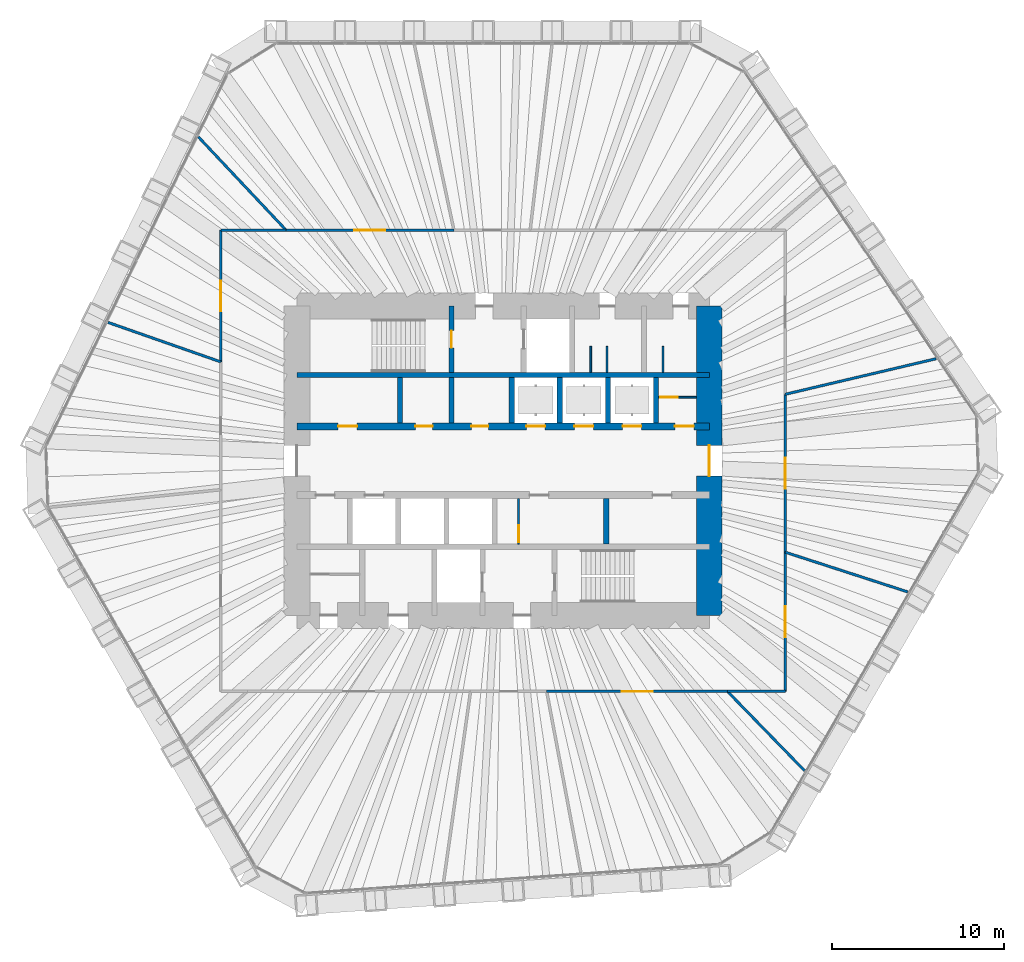
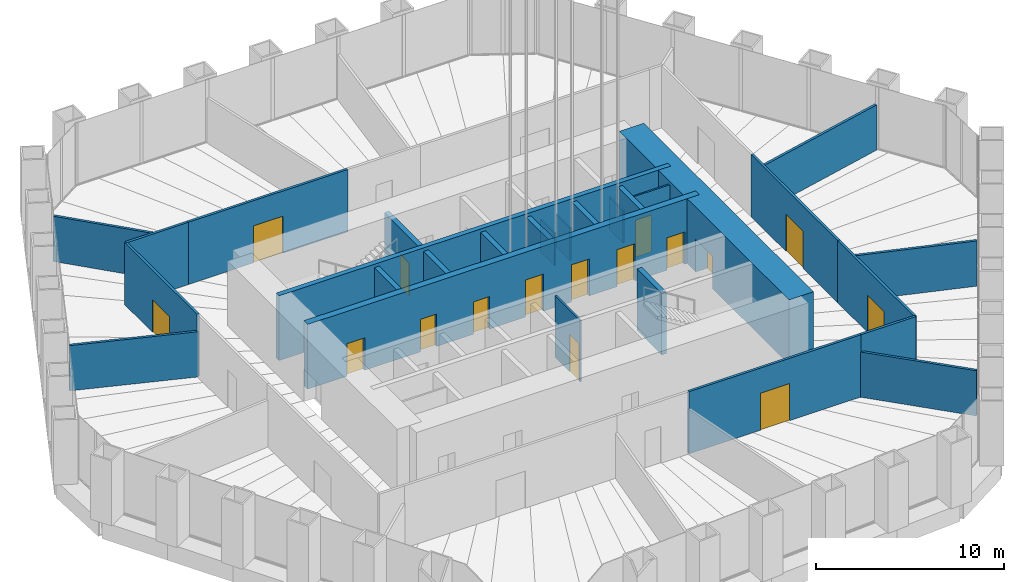
# One storey, part 11 of 20: 28 walls, 16 doors, 16 openings.
"""IFC4 building model written with IfcOpenShell, lengths in metres."""

from ifc_helpers import new_model, si_unit, direction, frame, frame_2d, origin, place, context, subcontext, project, spatial, rectangle, extrude, material, layer, layer_set, type_object, element, fill, save


model = new_model("IFC4")

# Units and contexts
model_context = context("Model", 3, precision=1e-05, world=origin(), true_north=direction((0.0, 1.0)))
body_context = subcontext(model_context, "Body", "Model", "MODEL_VIEW")
ifc_project = project(units=[si_unit("LENGTHUNIT", "METRE"), si_unit("AREAUNIT", "SQUARE_METRE"), si_unit("VOLUMEUNIT", "CUBIC_METRE"), si_unit("PLANEANGLEUNIT", "RADIAN"), si_unit("MASSUNIT", "GRAM", prefix="KILO")], contexts=[model_context])

# Site, building, storey
site_placement = place(None, origin())
site = spatial("IfcSite", under=ifc_project, at=site_placement, CompositionType="ELEMENT")
building_placement = place(site_placement, origin())
building = spatial("IfcBuilding", under=site, at=building_placement, Name="Qingtian Harvest Tower", CompositionType="ELEMENT")
storey_placement = place(building_placement, frame((0.0, 0.0, 103.0)))
storey = spatial("IfcBuildingStorey", under=building, at=storey_placement, Name="L20", CompositionType="ELEMENT", Elevation=103.0)

# Wall
ifc_material_1 = material(Name="Concrete fc' 70 MPa", Category="concrete")
ifc_layer_1 = layer(ifc_material_1, 0.300048828125)
ifc_layer_set_1 = layer_set([ifc_layer_1], Name="Core inner wall RC5 300")
wall_type_1 = type_object("IfcWallType", Name="Core inner wall RC5 300", PredefinedType="SHEAR", material=ifc_layer_set_1)
wall_1_placement = place(storey_placement, frame((-12.0, 5.0, 0.0), z_axis=(0.0, 0.0, 1.0), x_axis=(1.0, 0.0, 0.0)))
element("IfcWall", 1, at=wall_1_placement, inside=storey, type_object=wall_type_1, Name="Core wall IN5 L20", PredefinedType="SHEAR", context=body_context, shape_type="SweptSolid", body=[
    extrude(rectangle(XDim=24.0, YDim=0.300048828125, at=frame_2d((12.0, 0.0))), origin(), (0.0, 0.0, 1.0), 4.199951171875),
])

# Wall, openings, doors
ifc_material_2 = material(Name="Concrete fc' 70 MPa", Category="concrete")
ifc_layer_2 = layer(ifc_material_2, 0.39990234375)
ifc_layer_set_2 = layer_set([ifc_layer_2], Name="Core inner web RC6 400")
wall_type_2 = type_object("IfcWallType", Name="Core inner web RC6 400", PredefinedType="SHEAR", material=ifc_layer_set_2)
wall_2_placement = place(storey_placement, frame((-12.0, 2.0, 0.0), z_axis=(0.0, 0.0, 1.0), x_axis=(1.0, 0.0, 0.0)))
wall_2 = element("IfcWall", 2, at=wall_2_placement, inside=storey, type_object=wall_type_2, Name="Core wall IN2 L20", PredefinedType="SHEAR", context=body_context, shape_type="SweptSolid", body=[
    extrude(rectangle(XDim=24.0, YDim=0.39990234375, at=frame_2d((12.0, 0.0))), origin(), (0.0, 0.0, 1.0), 4.199951171875),
])
opening_1_placement = place(wall_2_placement, frame((2.39990234375, 0.0, 0.0)))
opening_1 = element("IfcOpeningElement", 3, at=opening_1_placement, cuts=wall_2, Name="Opening FD4", PredefinedType="OPENING", context=body_context, shape_type="SweptSolid", body=[
    extrude(rectangle(XDim=1.10009765625, YDim=2.10009765625, at=frame_2d((0.550048828125, 1.050048828125))), frame((0.0, 0.2099609375, 0.0), z_axis=(0.0, -1.0, 0.0), x_axis=(1.0, 0.0, 0.0)), (0.0, 0.0, 1.0), 0.419921875),
])
opening_2_placement = place(wall_2_placement, frame((22.0, 0.0, 0.0)))
opening_2 = element("IfcOpeningElement", 4, at=opening_2_placement, cuts=wall_2, Name="Opening FD4", PredefinedType="OPENING", context=body_context, shape_type="SweptSolid", body=[
    extrude(rectangle(XDim=1.10009765625, YDim=2.10009765625, at=frame_2d((0.550048828125, 1.050048828125))), frame((0.0, 0.2099609375, 0.0), z_axis=(0.0, -1.0, 0.0), x_axis=(1.0, 0.0, 0.0)), (0.0, 0.0, 1.0), 0.419921875),
])
opening_3_placement = place(wall_2_placement, frame((10.14990234375, 0.0, 0.0)))
opening_3 = element("IfcOpeningElement", 5, at=opening_3_placement, cuts=wall_2, Name="Opening FD1", PredefinedType="OPENING", context=body_context, shape_type="SweptSolid", body=[
    extrude(rectangle(XDim=1.0, YDim=2.10009765625, at=frame_2d((0.5, 1.050048828125))), frame((0.0, 0.2099609375, 0.0), z_axis=(0.0, -1.0, 0.0), x_axis=(1.0, 0.0, 0.0)), (0.0, 0.0, 1.0), 0.419921875),
])
opening_4_placement = place(wall_2_placement, frame((6.89990234375, 0.0, 0.0)))
opening_4 = element("IfcOpeningElement", 6, at=opening_4_placement, cuts=wall_2, Name="Opening FD1", PredefinedType="OPENING", context=body_context, shape_type="SweptSolid", body=[
    extrude(rectangle(XDim=1.0, YDim=2.10009765625, at=frame_2d((0.5, 1.050048828125))), frame((0.0, 0.2099609375, 0.0), z_axis=(0.0, -1.0, 0.0), x_axis=(1.0, 0.0, 0.0)), (0.0, 0.0, 1.0), 0.419921875),
])
opening_5_placement = place(wall_2_placement, frame((13.35009765625, 0.0, 0.0)))
opening_5 = element("IfcOpeningElement", 7, at=opening_5_placement, cuts=wall_2, Name="Opening LD1", PredefinedType="OPENING", context=body_context, shape_type="SweptSolid", body=[
    extrude(rectangle(XDim=1.10009765625, YDim=2.39990234375, at=frame_2d((0.550048828125, 1.199951171875))), frame((0.0, 0.2099609375, 0.0), z_axis=(0.0, -1.0, 0.0), x_axis=(1.0, 0.0, 0.0)), (0.0, 0.0, 1.0), 0.419921875),
])
opening_6_placement = place(wall_2_placement, frame((16.14990234375, 0.0, 0.0)))
opening_6 = element("IfcOpeningElement", 8, at=opening_6_placement, cuts=wall_2, Name="Opening LD1", PredefinedType="OPENING", context=body_context, shape_type="SweptSolid", body=[
    extrude(rectangle(XDim=1.10009765625, YDim=2.39990234375, at=frame_2d((0.550048828125, 1.199951171875))), frame((0.0, 0.2099609375, 0.0), z_axis=(0.0, -1.0, 0.0), x_axis=(1.0, 0.0, 0.0)), (0.0, 0.0, 1.0), 0.419921875),
])
opening_7_placement = place(wall_2_placement, frame((18.949951171875, 0.0, 0.0)))
opening_7 = element("IfcOpeningElement", 9, at=opening_7_placement, cuts=wall_2, Name="Opening LD1", PredefinedType="OPENING", context=body_context, shape_type="SweptSolid", body=[
    extrude(rectangle(XDim=1.10009765625, YDim=2.39990234375, at=frame_2d((0.550048828125, 1.199951171875))), frame((0.0, 0.2099609375, 0.0), z_axis=(0.0, -1.0, 0.0), x_axis=(1.0, 0.0, 0.0)), (0.0, 0.0, 1.0), 0.419921875),
])
ifc_material_3 = material(Name="Steel-faced door leaf", Category="steel")
door_type_1 = type_object("IfcDoorType", Name="Fire door FD1 single 1 HR", OperationType="SINGLE_SWING_LEFT", PredefinedType="DOOR", material=ifc_material_3)
door_1_placement = place(opening_3_placement, origin())
door_1 = element("IfcDoor", 10, at=door_1_placement, inside=storey, type_object=door_type_1, Name="STA door L20", OperationType="SINGLE_SWING_RIGHT", OverallHeight=2.10009765625, OverallWidth=1.0, PredefinedType="DOOR", context=body_context, shape_type="SweptSolid", body=[
    extrude(rectangle(XDim=1.0, YDim=2.10009765625, at=frame_2d((0.5, 1.050048828125))), frame((0.0, 0.02490234375, 0.0), z_axis=(0.0, -1.0, 0.0), x_axis=(1.0, 0.0, 0.0)), (0.0, 0.0, 1.0), 0.050048828125),
])
fill(opening_3, door_1)
door_2_placement = place(opening_4_placement, origin())
door_2 = element("IfcDoor", 11, at=door_2_placement, inside=storey, type_object=door_type_1, Name="Linen store door L20", OperationType="SINGLE_SWING_RIGHT", OverallHeight=2.10009765625, OverallWidth=1.0, PredefinedType="DOOR", context=body_context, shape_type="SweptSolid", body=[
    extrude(rectangle(XDim=1.0, YDim=2.10009765625, at=frame_2d((0.5, 1.050048828125))), frame((0.0, 0.02490234375, 0.0), z_axis=(0.0, -1.0, 0.0), x_axis=(1.0, 0.0, 0.0)), (0.0, 0.0, 1.0), 0.050048828125),
])
fill(opening_4, door_2)
ifc_material_4 = material(Name="Steel-faced door leaf", Category="steel")
door_type_2 = type_object("IfcDoorType", Name="Fire door FD4 single 2 HR", OperationType="SINGLE_SWING_LEFT", PredefinedType="DOOR", material=ifc_material_4)
door_3_placement = place(opening_1_placement, origin())
door_3 = element("IfcDoor", 12, at=door_3_placement, inside=storey, type_object=door_type_2, Name="RA door L20", OperationType="SINGLE_SWING_LEFT", OverallHeight=2.10009765625, OverallWidth=1.10009765625, PredefinedType="DOOR", context=body_context, shape_type="SweptSolid", body=[
    extrude(rectangle(XDim=1.10009765625, YDim=2.10009765625, at=frame_2d((0.550048828125, 1.050048828125))), frame((0.0, 0.02490234375, 0.0), z_axis=(0.0, -1.0, 0.0), x_axis=(1.0, 0.0, 0.0)), (0.0, 0.0, 1.0), 0.050048828125),
])
fill(opening_1, door_3)
door_4_placement = place(opening_2_placement, origin())
door_4 = element("IfcDoor", 13, at=door_4_placement, inside=storey, type_object=door_type_2, Name="AHU door L20", OperationType="SINGLE_SWING_LEFT", OverallHeight=2.10009765625, OverallWidth=1.10009765625, PredefinedType="DOOR", context=body_context, shape_type="SweptSolid", body=[
    extrude(rectangle(XDim=1.10009765625, YDim=2.10009765625, at=frame_2d((0.550048828125, 1.050048828125))), frame((0.0, 0.02490234375, 0.0), z_axis=(0.0, -1.0, 0.0), x_axis=(1.0, 0.0, 0.0)), (0.0, 0.0, 1.0), 0.050048828125),
])
fill(opening_2, door_4)
ifc_material_5 = material(Name="Stainless steel lift landing door", Category="steel")
door_type_3 = type_object("IfcDoorType", Name="Lift landing door LD1 1 HR", OperationType="DOUBLE_DOOR_SLIDING", PredefinedType="DOOR", material=ifc_material_5)
door_5_placement = place(opening_5_placement, origin())
door_5 = element("IfcDoor", 14, at=door_5_placement, inside=storey, type_object=door_type_3, Name="PLB1 landing door L20", OperationType="DOUBLE_DOOR_SLIDING", OverallHeight=2.39990234375, OverallWidth=1.10009765625, PredefinedType="DOOR", context=body_context, shape_type="SweptSolid", body=[
    extrude(rectangle(XDim=1.10009765625, YDim=2.39990234375, at=frame_2d((0.550048828125, 1.199951171875))), frame((0.0, 0.02490234375, 0.0), z_axis=(0.0, -1.0, 0.0), x_axis=(1.0, 0.0, 0.0)), (0.0, 0.0, 1.0), 0.050048828125),
])
fill(opening_5, door_5)
door_6_placement = place(opening_6_placement, origin())
door_6 = element("IfcDoor", 15, at=door_6_placement, inside=storey, type_object=door_type_3, Name="PLB2 landing door L20", OperationType="DOUBLE_DOOR_SLIDING", OverallHeight=2.39990234375, OverallWidth=1.10009765625, PredefinedType="DOOR", context=body_context, shape_type="SweptSolid", body=[
    extrude(rectangle(XDim=1.10009765625, YDim=2.39990234375, at=frame_2d((0.550048828125, 1.199951171875))), frame((0.0, 0.02490234375, 0.0), z_axis=(0.0, -1.0, 0.0), x_axis=(1.0, 0.0, 0.0)), (0.0, 0.0, 1.0), 0.050048828125),
])
fill(opening_6, door_6)
door_7_placement = place(opening_7_placement, origin())
door_7 = element("IfcDoor", 16, at=door_7_placement, inside=storey, type_object=door_type_3, Name="PLB3 landing door L20", OperationType="DOUBLE_DOOR_SLIDING", OverallHeight=2.39990234375, OverallWidth=1.10009765625, PredefinedType="DOOR", context=body_context, shape_type="SweptSolid", body=[
    extrude(rectangle(XDim=1.10009765625, YDim=2.39990234375, at=frame_2d((0.550048828125, 1.199951171875))), frame((0.0, 0.02490234375, 0.0), z_axis=(0.0, -1.0, 0.0), x_axis=(1.0, 0.0, 0.0)), (0.0, 0.0, 1.0), 0.050048828125),
])
fill(opening_7, door_7)

# Wall, opening, door
ifc_material_6 = material(Name="Precast concrete shaft panel", Category="concrete")
ifc_layer_3 = layer(ifc_material_6, 0.300048828125)
ifc_layer_set_3 = layer_set([ifc_layer_3], Name="Core shaft partition SW1 300")
wall_type_3 = type_object("IfcWallType", Name="Core shaft partition SW1 300", PredefinedType="PARTITIONING", material=ifc_layer_set_3)
wall_3_placement = place(storey_placement, frame((-3.0, 5.14990234375, 0.0), z_axis=(0.0, 0.0, 1.0), x_axis=(0.0, 1.0, 0.0)))
wall_3 = element("IfcWall", 17, at=wall_3_placement, inside=storey, type_object=wall_type_3, Name="Core shaft partition XN1 L20", PredefinedType="PARTITIONING", context=body_context, shape_type="SweptSolid", body=[
    extrude(rectangle(XDim=3.85009765625, YDim=0.300048828125, at=frame_2d((1.925048828125, 0.0))), origin(), (0.0, 0.0, 1.0), 3.97998046875),
])
opening_8_placement = place(wall_3_placement, frame((1.425048828125, 0.0, 0.0)))
opening_8 = element("IfcOpeningElement", 18, at=opening_8_placement, cuts=wall_3, Name="Opening FD1", PredefinedType="OPENING", context=body_context, shape_type="SweptSolid", body=[
    extrude(rectangle(XDim=1.0, YDim=2.10009765625, at=frame_2d((0.5, 1.050048828125))), frame((0.0, 0.159912109375, 0.0), z_axis=(0.0, -1.0, 0.0), x_axis=(1.0, 0.0, 0.0)), (0.0, 0.0, 1.0), 0.320068359375),
])
door_8_placement = place(opening_8_placement, origin())
door_8 = element("IfcDoor", 19, at=door_8_placement, inside=storey, type_object=door_type_1, Name="S1 door L20", OperationType="SINGLE_SWING_RIGHT", OverallHeight=2.10009765625, OverallWidth=1.0, PredefinedType="DOOR", context=body_context, shape_type="SweptSolid", body=[
    extrude(rectangle(XDim=1.0, YDim=2.10009765625, at=frame_2d((0.5, 1.050048828125))), frame((0.0, 0.02490234375, 0.0), z_axis=(0.0, -1.0, 0.0), x_axis=(1.0, 0.0, 0.0)), (0.0, 0.0, 1.0), 0.050048828125),
])
fill(opening_8, door_8)

# Walls
for number, where, z_axis, x_axis, name in (
    (20, (-6.0, 2.199951171875, 0.0), (0.0, 0.0, 1.0), (0.0, 1.0, 0.0), "Core shaft partition XA1 L20"),
    (21, (-3.0, 2.199951171875, 0.0), (0.0, 0.0, 1.0), (0.0, 1.0, 0.0), "Core shaft partition XA2 L20"),
    (22, (0.5, 2.199951171875, 0.0), (0.0, 0.0, 1.0), (0.0, 1.0, 0.0), "Core shaft partition XA3 L20"),
    (23, (3.300048828125, 2.199951171875, 0.0), (0.0, 0.0, 1.0), (0.0, 1.0, 0.0), "Core shaft partition XA4 L20"),
    (24, (6.10009765625, 2.199951171875, 0.0), (0.0, 0.0, 1.0), (0.0, 1.0, 0.0), "Core shaft partition XA5 L20"),
    (25, (8.89990234375, 2.199951171875, 0.0), (0.0, 0.0, 1.0), (0.0, 1.0, 0.0), "Core shaft partition XA6 L20"),
    (26, (6.0, -4.85009765625, 0.0), (0.0, 0.0, 1.0), (0.0, 1.0, 0.0), "Core shaft partition XB5 L20"),
):
    element("IfcWall", number, at=place(storey_placement, frame(where, z_axis=z_axis, x_axis=x_axis)), inside=storey, type_object=wall_type_3, Name=name, PredefinedType="PARTITIONING", context=body_context, shape_type="SweptSolid", body=[
        extrude(rectangle(XDim=2.650146484375, YDim=0.300048828125, at=frame_2d((1.3251953125, 0.0))), origin(), (0.0, 0.0, 1.0), 3.97998046875),
    ])

# Wall, opening, door
ifc_material_7 = material(Name="Concrete fc' 70 MPa", Category="concrete")
ifc_layer_4 = layer(ifc_material_7, 1.5)
ifc_layer_set_4 = layer_set([ifc_layer_4], Name="Core wall RC1 1500")
wall_type_4 = type_object("IfcWallType", Name="Core wall RC1 1500", PredefinedType="SHEAR", material=ifc_layer_set_4)
wall_4_placement = place(storey_placement, frame((12.0, -9.0, 0.0), z_axis=(0.0, 0.0, 1.0), x_axis=(0.0, 1.0, 0.0)))
wall_4 = element("IfcWall", 27, at=wall_4_placement, inside=storey, type_object=wall_type_4, Name="Core wall CE L20", PredefinedType="SHEAR", context=body_context, shape_type="SweptSolid", body=[
    extrude(rectangle(XDim=18.0, YDim=1.5, at=frame_2d((9.0, 0.0))), origin(), (0.0, 0.0, 1.0), 4.199951171875),
])
opening_9_placement = place(wall_4_placement, frame((8.10009765625, 0.0, 0.0)))
opening_9 = element("IfcOpeningElement", 28, at=opening_9_placement, cuts=wall_4, Name="Opening FD2", PredefinedType="OPENING", context=body_context, shape_type="SweptSolid", body=[
    extrude(rectangle(XDim=1.800048828125, YDim=2.10009765625, at=frame_2d((0.89990234375, 1.050048828125))), frame((0.0, 0.760009765625, 0.0), z_axis=(0.0, -1.0, 0.0), x_axis=(1.0, 0.0, 0.0)), (0.0, 0.0, 1.0), 1.52001953125),
])
ifc_material_8 = material(Name="Steel-faced door leaf", Category="steel")
door_type_4 = type_object("IfcDoorType", Name="Fire door FD2 double 1 HR", OperationType="DOUBLE_DOOR_DOUBLE_SWING", PredefinedType="DOOR", material=ifc_material_8)
door_9_placement = place(opening_9_placement, origin())
door_9 = element("IfcDoor", 29, at=door_9_placement, inside=storey, type_object=door_type_4, Name="LOBBY-E door L20", OperationType="DOUBLE_DOOR_DOUBLE_SWING", OverallHeight=2.10009765625, OverallWidth=1.800048828125, PredefinedType="DOOR", context=body_context, shape_type="SweptSolid", body=[
    extrude(rectangle(XDim=1.800048828125, YDim=2.10009765625, at=frame_2d((0.89990234375, 1.050048828125))), frame((0.0, 0.02490234375, 0.0), z_axis=(0.0, -1.0, 0.0), x_axis=(1.0, 0.0, 0.0)), (0.0, 0.0, 1.0), 0.050048828125),
])
fill(opening_9, door_9)

# Wall
ifc_material_9 = material(Name="Fire-rated gypsum board on steel studs", Category="steel")
ifc_layer_5 = layer(ifc_material_9, 0.14990234375)
ifc_layer_set_5 = layer_set([ifc_layer_5], Name="Fire partition FW3 150 1 HR")
wall_type_5 = type_object("IfcWallType", Name="Fire partition FW3 150 1 HR", PredefinedType="PARTITIONING", material=ifc_layer_set_5)
wall_5_placement = place(storey_placement, frame((-22.99755859375, 8.0537109375, 0.0), z_axis=(0.0, 0.0, 1.0), x_axis=(0.943796578439, -0.330526880187, 0.0)))
element("IfcWall", 30, at=wall_5_placement, inside=storey, type_object=wall_type_5, Name="Sky lobby lounge wall L20", PredefinedType="PARTITIONING", context=body_context, shape_type="SweptSolid", body=[
    extrude(rectangle(XDim=6.9638671875, YDim=0.14990234375, at=frame_2d((3.48193359375, 0.0))), origin(), (0.0, 0.0, 1.0), 2.929931640625),
])

# Wall, opening, door
wall_6_placement = place(storey_placement, frame((-16.425048828125, 5.751953125, 0.0), z_axis=(0.0, 0.0, 1.0), x_axis=(0.0, 1.0, 0.0)))
wall_6 = element("IfcWall", 31, at=wall_6_placement, inside=storey, type_object=wall_type_5, Name="Sky lobby lounge wall L20", PredefinedType="PARTITIONING", context=body_context, shape_type="SweptSolid", body=[
    extrude(rectangle(XDim=7.673095703125, YDim=0.14990234375, at=frame_2d((3.83642578125, 0.0))), origin(), (0.0, 0.0, 1.0), 4.030029296875),
])
opening_10_placement = place(wall_6_placement, frame((2.9365234375, 0.0, 0.0)))
opening_10 = element("IfcOpeningElement", 32, at=opening_10_placement, cuts=wall_6, Name="Opening FD2", PredefinedType="OPENING", context=body_context, shape_type="SweptSolid", body=[
    extrude(rectangle(XDim=1.800048828125, YDim=2.10009765625, at=frame_2d((0.89990234375, 1.050048828125))), frame((0.0, 0.0849609375, 0.0), z_axis=(0.0, -1.0, 0.0), x_axis=(1.0, 0.0, 0.0)), (0.0, 0.0, 1.0), 0.169921875),
])
door_10_placement = place(opening_10_placement, origin())
door_10 = element("IfcDoor", 33, at=door_10_placement, inside=storey, type_object=door_type_4, Name="Sky lobby lounge door L20", OperationType="DOUBLE_DOOR_DOUBLE_SWING", OverallHeight=2.10009765625, OverallWidth=1.800048828125, PredefinedType="DOOR", context=body_context, shape_type="SweptSolid", body=[
    extrude(rectangle(XDim=1.800048828125, YDim=2.10009765625, at=frame_2d((0.89990234375, 1.050048828125))), frame((0.0, 0.02490234375, 0.0), z_axis=(0.0, -1.0, 0.0), x_axis=(1.0, 0.0, 0.0)), (0.0, 0.0, 1.0), 0.050048828125),
])
fill(opening_10, door_10)

# Walls
wall_7_placement = place(storey_placement, frame((-16.425048828125, 13.425048828125, 0.0), z_axis=(0.0, 0.0, 1.0), x_axis=(1.0, 0.0, 0.0)))
element("IfcWall", 34, at=wall_7_placement, inside=storey, type_object=wall_type_5, Name="Sky lobby lounge wall L20", PredefinedType="PARTITIONING", context=body_context, shape_type="SweptSolid", body=[
    extrude(rectangle(XDim=3.792724609375, YDim=0.14990234375, at=frame_2d((1.896484375, 0.0))), origin(), (0.0, 0.0, 1.0), 4.030029296875),
])
wall_8_placement = place(storey_placement, frame((-17.738037109375, 18.850830078125, 0.0), z_axis=(0.0, 0.0, 1.0), x_axis=(0.685300300524, -0.728260597659, 0.0)))
element("IfcWall", 35, at=wall_8_placement, inside=storey, type_object=wall_type_5, Name="Staff lounge wall L20", PredefinedType="PARTITIONING", context=body_context, shape_type="SweptSolid", body=[
    extrude(rectangle(XDim=7.450439453125, YDim=0.14990234375, at=frame_2d((3.72509765625, 0.0))), origin(), (0.0, 0.0, 1.0), 2.929931640625),
])

# Wall, opening, door
ifc_material_10 = material(Name="Gypsum board on steel studs", Category="steel")
ifc_layer_6 = layer(ifc_material_10, 0.14990234375)
ifc_layer_set_6 = layer_set([ifc_layer_6], Name="Partition PT1 150")
wall_type_6 = type_object("IfcWallType", Name="Partition PT1 150", PredefinedType="PARTITIONING", material=ifc_layer_set_6)
wall_9_placement = place(storey_placement, frame((-12.63232421875, 13.425048828125, 0.0), z_axis=(0.0, 0.0, 1.0), x_axis=(1.0, 0.0, 0.0)))
wall_9 = element("IfcWall", 36, at=wall_9_placement, inside=storey, type_object=wall_type_6, Name="Staff lounge wall L20", PredefinedType="PARTITIONING", context=body_context, shape_type="SweptSolid", body=[
    extrude(rectangle(XDim=9.7685546875, YDim=0.14990234375, at=frame_2d((4.88427734375, 0.0))), origin(), (0.0, 0.0, 1.0), 4.030029296875),
])
opening_11_placement = place(wall_9_placement, frame((3.984375, 0.0, 0.0)))
opening_11 = element("IfcOpeningElement", 37, at=opening_11_placement, cuts=wall_9, Name="Opening D3", PredefinedType="OPENING", context=body_context, shape_type="SweptSolid", body=[
    extrude(rectangle(XDim=1.800048828125, YDim=2.39990234375, at=frame_2d((0.89990234375, 1.199951171875))), frame((0.0, 0.0849609375, 0.0), z_axis=(0.0, -1.0, 0.0), x_axis=(1.0, 0.0, 0.0)), (0.0, 0.0, 1.0), 0.169921875),
])
ifc_material_11 = material(Name="Laminated timber door leaf", Category="wood")
door_type_5 = type_object("IfcDoorType", Name="Room door D3 double", OperationType="DOUBLE_DOOR_DOUBLE_SWING", PredefinedType="DOOR", material=ifc_material_11)
door_11_placement = place(opening_11_placement, origin())
door_11 = element("IfcDoor", 38, at=door_11_placement, inside=storey, type_object=door_type_5, Name="Staff lounge door L20", OperationType="DOUBLE_DOOR_DOUBLE_SWING", OverallHeight=2.39990234375, OverallWidth=1.800048828125, PredefinedType="DOOR", context=body_context, shape_type="SweptSolid", body=[
    extrude(rectangle(XDim=1.800048828125, YDim=2.39990234375, at=frame_2d((0.89990234375, 1.199951171875))), frame((0.0, 0.02490234375, 0.0), z_axis=(0.0, -1.0, 0.0), x_axis=(1.0, 0.0, 0.0)), (0.0, 0.0, 1.0), 0.050048828125),
])
fill(opening_11, door_11)

# Wall
wall_10_placement = place(storey_placement, frame((25.1943359375, 5.93603515625, 0.0), z_axis=(0.0, 0.0, 1.0), x_axis=(-0.973347822921, -0.229333851872, 0.0)))
element("IfcWall", 39, at=wall_10_placement, inside=storey, type_object=wall_type_6, Name="Cafe wall L20", PredefinedType="PARTITIONING", context=body_context, shape_type="SweptSolid", body=[
    extrude(rectangle(XDim=9.009521484375, YDim=0.14990234375, at=frame_2d((4.5048828125, 0.0))), origin(), (0.0, 0.0, 1.0), 2.929931640625),
])

# Wall, opening, door
wall_11_placement = place(storey_placement, frame((16.425048828125, 3.869873046875, 0.0), z_axis=(0.0, 0.0, 1.0), x_axis=(0.0, -1.0, 0.0)))
wall_11 = element("IfcWall", 40, at=wall_11_placement, inside=storey, type_object=wall_type_6, Name="Cafe wall L20", PredefinedType="PARTITIONING", context=body_context, shape_type="SweptSolid", body=[
    extrude(rectangle(XDim=9.193603515625, YDim=0.14990234375, at=frame_2d((4.5966796875, 0.0))), origin(), (0.0, 0.0, 1.0), 4.030029296875),
])
opening_12_placement = place(wall_11_placement, frame((3.69677734375, 0.0, 0.0)))
opening_12 = element("IfcOpeningElement", 41, at=opening_12_placement, cuts=wall_11, Name="Opening D3", PredefinedType="OPENING", context=body_context, shape_type="SweptSolid", body=[
    extrude(rectangle(XDim=1.800048828125, YDim=2.39990234375, at=frame_2d((0.89990234375, 1.199951171875))), frame((0.0, 0.0849609375, 0.0), z_axis=(0.0, -1.0, 0.0), x_axis=(1.0, 0.0, 0.0)), (0.0, 0.0, 1.0), 0.169921875),
])
door_12_placement = place(opening_12_placement, origin())
door_12 = element("IfcDoor", 42, at=door_12_placement, inside=storey, type_object=door_type_5, Name="Cafe door L20", OperationType="DOUBLE_DOOR_DOUBLE_SWING", OverallHeight=2.39990234375, OverallWidth=1.800048828125, PredefinedType="DOOR", context=body_context, shape_type="SweptSolid", body=[
    extrude(rectangle(XDim=1.800048828125, YDim=2.39990234375, at=frame_2d((0.89990234375, 1.199951171875))), frame((0.0, 0.02490234375, 0.0), z_axis=(0.0, -1.0, 0.0), x_axis=(1.0, 0.0, 0.0)), (0.0, 0.0, 1.0), 0.050048828125),
])
fill(opening_12, door_12)

# Wall
wall_12_placement = place(storey_placement, frame((23.541015625, -7.630126953125, 0.0), z_axis=(0.0, 0.0, 1.0), x_axis=(-0.951281044472, 0.308325111577, 0.0)))
element("IfcWall", 43, at=wall_12_placement, inside=storey, type_object=wall_type_6, Name="Business centre wall L20", PredefinedType="PARTITIONING", context=body_context, shape_type="SweptSolid", body=[
    extrude(rectangle(XDim=7.48046875, YDim=0.14990234375, at=frame_2d((3.740234375, 0.0))), origin(), (0.0, 0.0, 1.0), 2.929931640625),
])

# Wall, opening, door
wall_13_placement = place(storey_placement, frame((16.425048828125, -5.32373046875, 0.0), z_axis=(0.0, 0.0, 1.0), x_axis=(0.0, -1.0, 0.0)))
wall_13 = element("IfcWall", 44, at=wall_13_placement, inside=storey, type_object=wall_type_6, Name="Business centre wall L20", PredefinedType="PARTITIONING", context=body_context, shape_type="SweptSolid", body=[
    extrude(rectangle(XDim=8.101318359375, YDim=0.14990234375, at=frame_2d((4.05078125, 0.0))), origin(), (0.0, 0.0, 1.0), 4.030029296875),
])
opening_13_placement = place(wall_13_placement, frame((3.150634765625, 0.0, 0.0)))
opening_13 = element("IfcOpeningElement", 45, at=opening_13_placement, cuts=wall_13, Name="Opening D3", PredefinedType="OPENING", context=body_context, shape_type="SweptSolid", body=[
    extrude(rectangle(XDim=1.800048828125, YDim=2.39990234375, at=frame_2d((0.89990234375, 1.199951171875))), frame((0.0, 0.0849609375, 0.0), z_axis=(0.0, -1.0, 0.0), x_axis=(1.0, 0.0, 0.0)), (0.0, 0.0, 1.0), 0.169921875),
])
door_13_placement = place(opening_13_placement, origin())
door_13 = element("IfcDoor", 46, at=door_13_placement, inside=storey, type_object=door_type_5, Name="Business centre door L20", OperationType="DOUBLE_DOOR_DOUBLE_SWING", OverallHeight=2.39990234375, OverallWidth=1.800048828125, PredefinedType="DOOR", context=body_context, shape_type="SweptSolid", body=[
    extrude(rectangle(XDim=1.800048828125, YDim=2.39990234375, at=frame_2d((0.89990234375, 1.199951171875))), frame((0.0, 0.02490234375, 0.0), z_axis=(0.0, -1.0, 0.0), x_axis=(1.0, 0.0, 0.0)), (0.0, 0.0, 1.0), 0.050048828125),
])
fill(opening_13, door_13)

# Walls
wall_14_placement = place(storey_placement, frame((16.425048828125, -13.425048828125, 0.0), z_axis=(0.0, 0.0, 1.0), x_axis=(-1.0, 0.0, 0.0)))
element("IfcWall", 47, at=wall_14_placement, inside=storey, type_object=wall_type_6, Name="Business centre wall L20", PredefinedType="PARTITIONING", context=body_context, shape_type="SweptSolid", body=[
    extrude(rectangle(XDim=3.3671875, YDim=0.14990234375, at=frame_2d((1.68359375, 0.0))), origin(), (0.0, 0.0, 1.0), 4.030029296875),
])
wall_15_placement = place(storey_placement, frame((17.537841796875, -18.031005859375, 0.0), z_axis=(0.0, 0.0, 1.0), x_axis=(-0.697235728125, 0.716841920807, 0.0)))
element("IfcWall", 48, at=wall_15_placement, inside=storey, type_object=wall_type_6, Name="Meeting room wall L20", PredefinedType="PARTITIONING", context=body_context, shape_type="SweptSolid", body=[
    extrude(rectangle(XDim=6.42529296875, YDim=0.14990234375, at=frame_2d((3.212646484375, 0.0))), origin(), (0.0, 0.0, 1.0), 2.929931640625),
])

# Wall, opening, door
wall_16_placement = place(storey_placement, frame((13.057861328125, -13.425048828125, 0.0), z_axis=(0.0, 0.0, 1.0), x_axis=(-1.0, 0.0, 0.0)))
wall_16 = element("IfcWall", 49, at=wall_16_placement, inside=storey, type_object=wall_type_6, Name="Meeting room wall L20", PredefinedType="PARTITIONING", context=body_context, shape_type="SweptSolid", body=[
    extrude(rectangle(XDim=10.521240234375, YDim=0.14990234375, at=frame_2d((5.2607421875, 0.0))), origin(), (0.0, 0.0, 1.0), 4.030029296875),
])
opening_14_placement = place(wall_16_placement, frame((4.360595703125, 0.0, 0.0)))
opening_14 = element("IfcOpeningElement", 50, at=opening_14_placement, cuts=wall_16, Name="Opening D3", PredefinedType="OPENING", context=body_context, shape_type="SweptSolid", body=[
    extrude(rectangle(XDim=1.800048828125, YDim=2.39990234375, at=frame_2d((0.89990234375, 1.199951171875))), frame((0.0, 0.0849609375, 0.0), z_axis=(0.0, -1.0, 0.0), x_axis=(1.0, 0.0, 0.0)), (0.0, 0.0, 1.0), 0.169921875),
])
door_14_placement = place(opening_14_placement, origin())
door_14 = element("IfcDoor", 51, at=door_14_placement, inside=storey, type_object=door_type_5, Name="Meeting room door L20", OperationType="DOUBLE_DOOR_DOUBLE_SWING", OverallHeight=2.39990234375, OverallWidth=1.800048828125, PredefinedType="DOOR", context=body_context, shape_type="SweptSolid", body=[
    extrude(rectangle(XDim=1.800048828125, YDim=2.39990234375, at=frame_2d((0.89990234375, 1.199951171875))), frame((0.0, 0.02490234375, 0.0), z_axis=(0.0, -1.0, 0.0), x_axis=(1.0, 0.0, 0.0)), (0.0, 0.0, 1.0), 0.050048828125),
])
fill(opening_14, door_14)

ifc_material_12 = material(Name="Concrete block partition", Category="concrete")
ifc_layer_7 = layer(ifc_material_12, 0.10009765625)
ifc_layer_set_7 = layer_set([ifc_layer_7], Name="Store partition PT3 100")
wall_type_7 = type_object("IfcWallType", Name="Store partition PT3 100", PredefinedType="PARTITIONING", material=ifc_layer_set_7)
wall_17_placement = place(storey_placement, frame((0.89990234375, -4.85009765625, 0.0), z_axis=(0.0, 0.0, 1.0), x_axis=(0.0, 1.0, 0.0)))
wall_17 = element("IfcWall", 52, at=wall_17_placement, inside=storey, type_object=wall_type_7, Name="Comms room wall L20", PredefinedType="PARTITIONING", context=body_context, shape_type="SweptSolid", body=[
    extrude(rectangle(XDim=2.650146484375, YDim=0.10009765625, at=frame_2d((1.3251953125, 0.0))), origin(), (0.0, 0.0, 1.0), 3.97998046875),
])
opening_15_placement = place(wall_17_placement, frame((0.10009765625, 0.0, 0.0)))
opening_15 = element("IfcOpeningElement", 53, at=opening_15_placement, cuts=wall_17, Name="Opening D2", PredefinedType="OPENING", context=body_context, shape_type="SweptSolid", body=[
    extrude(rectangle(XDim=1.0, YDim=2.39990234375, at=frame_2d((0.5, 1.199951171875))), frame((0.0, 0.06005859375, 0.0), z_axis=(0.0, -1.0, 0.0), x_axis=(1.0, 0.0, 0.0)), (0.0, 0.0, 1.0), 0.1201171875),
])
ifc_material_13 = material(Name="Laminated timber door leaf", Category="wood")
door_type_6 = type_object("IfcDoorType", Name="Room door D2 single", OperationType="SINGLE_SWING_LEFT", PredefinedType="DOOR", material=ifc_material_13)
door_15_placement = place(opening_15_placement, origin())
door_15 = element("IfcDoor", 54, at=door_15_placement, inside=storey, type_object=door_type_6, Name="Comms room door L20", OperationType="SINGLE_SWING_RIGHT", OverallHeight=2.39990234375, OverallWidth=1.0, PredefinedType="DOOR", context=body_context, shape_type="SweptSolid", body=[
    extrude(rectangle(XDim=1.0, YDim=2.39990234375, at=frame_2d((0.5, 1.199951171875))), frame((0.0, 0.02490234375, 0.0), z_axis=(0.0, -1.0, 0.0), x_axis=(1.0, 0.0, 0.0)), (0.0, 0.0, 1.0), 0.050048828125),
])
fill(opening_15, door_15)

wall_18_placement = place(storey_placement, frame((9.050048828125, 3.699951171875, 0.0), z_axis=(0.0, 0.0, 1.0), x_axis=(1.0, 0.0, 0.0)))
wall_18 = element("IfcWall", 55, at=wall_18_placement, inside=storey, type_object=wall_type_7, Name="Filter plant room wall L20", PredefinedType="PARTITIONING", context=body_context, shape_type="SweptSolid", body=[
    extrude(rectangle(XDim=2.199951171875, YDim=0.10009765625, at=frame_2d((1.10009765625, 0.0))), origin(), (0.0, 0.0, 1.0), 3.97998046875),
])
opening_16_placement = place(wall_18_placement, frame((0.10009765625, 0.0, 0.0)))
opening_16 = element("IfcOpeningElement", 56, at=opening_16_placement, cuts=wall_18, Name="Opening D2", PredefinedType="OPENING", context=body_context, shape_type="SweptSolid", body=[
    extrude(rectangle(XDim=1.0, YDim=2.39990234375, at=frame_2d((0.5, 1.199951171875))), frame((0.0, 0.06005859375, 0.0), z_axis=(0.0, -1.0, 0.0), x_axis=(1.0, 0.0, 0.0)), (0.0, 0.0, 1.0), 0.1201171875),
])
door_16_placement = place(opening_16_placement, origin())
door_16 = element("IfcDoor", 57, at=door_16_placement, inside=storey, type_object=door_type_6, Name="Filter plant room door L20", OperationType="SINGLE_SWING_LEFT", OverallHeight=2.39990234375, OverallWidth=1.0, PredefinedType="DOOR", context=body_context, shape_type="SweptSolid", body=[
    extrude(rectangle(XDim=1.0, YDim=2.39990234375, at=frame_2d((0.5, 1.199951171875))), frame((0.0, 0.02490234375, 0.0), z_axis=(0.0, -1.0, 0.0), x_axis=(1.0, 0.0, 0.0)), (0.0, 0.0, 1.0), 0.050048828125),
])
fill(opening_16, door_16)

# Walls
ifc_material_14 = material(Name="Compact laminate cubicle partition", Category="plastic")
ifc_layer_8 = layer(ifc_material_14, 0.10009765625)
ifc_layer_set_8 = layer_set([ifc_layer_8], Name="WC cubicle partition WP1 100")
wall_type_8 = type_object("IfcWallType", Name="WC cubicle partition WP1 100", PredefinedType="PARTITIONING", material=ifc_layer_set_8)
for number, where, z_axis, x_axis, name in (
    (58, (5.10009765625, 5.14990234375, 0.0), (0.0, 0.0, 1.0), (0.0, 1.0, 0.0), "WC cubicle partition WCM L20"),
    (59, (6.050048828125, 5.14990234375, 0.0), (0.0, 0.0, 1.0), (0.0, 1.0, 0.0), "WC cubicle partition WCM L20"),
    (60, (9.300048828125, 5.14990234375, 0.0), (0.0, 0.0, 1.0), (0.0, 1.0, 0.0), "WC cubicle partition WCF L20"),
):
    element("IfcWall", number, at=place(storey_placement, frame(where, z_axis=z_axis, x_axis=x_axis)), inside=storey, type_object=wall_type_8, Name=name, PredefinedType="PARTITIONING", context=body_context, shape_type="SweptSolid", body=[
        extrude(rectangle(XDim=1.5, YDim=0.10009765625, at=frame_2d((0.75, 0.0))), origin(), (0.0, 0.0, 1.0), 2.10009765625),
    ])

save(model, "model.ifc")
